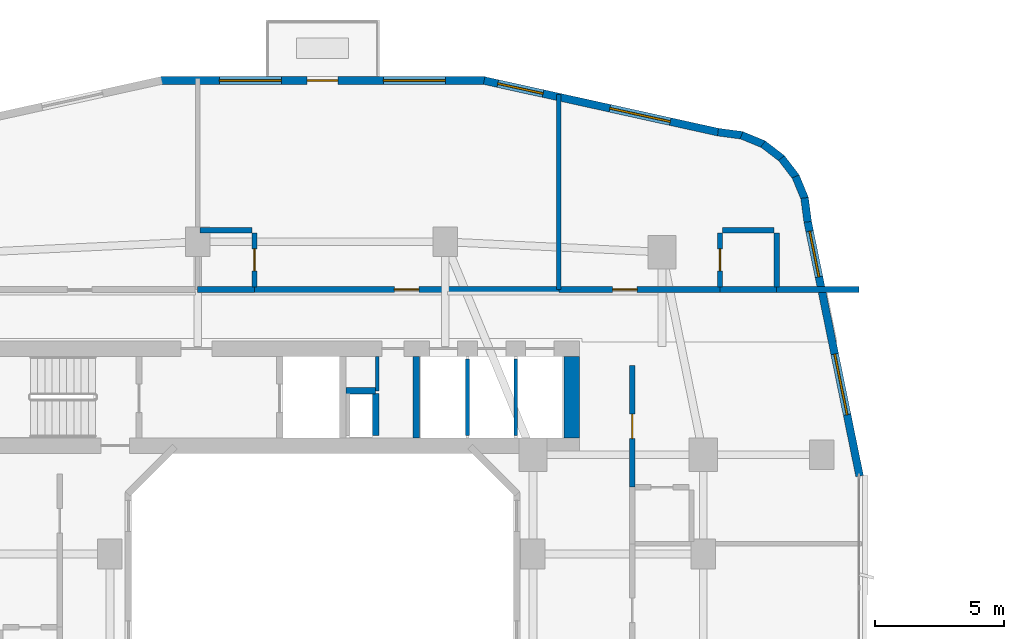
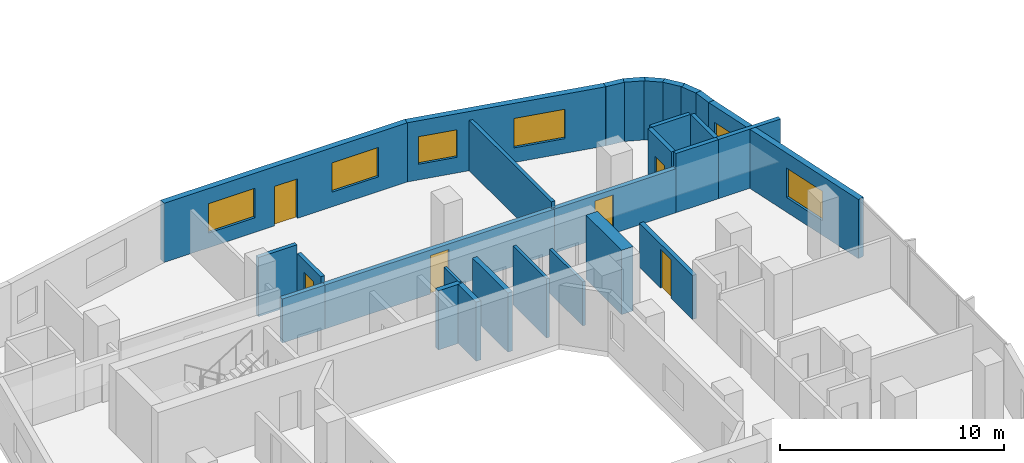
# One storey, part 12 of 22: 28 walls, 6 doors, 6 windows, 12 openings.
"""IFC4 building model written with IfcOpenShell, lengths in metres."""

from ifc_helpers import new_model, si_unit, derived_unit, direction, frame, frame_2d, origin, place, context, subcontext, project, spatial, rectangle, extrude, material, layer, layer_set, type_object, element, fill, save


model = new_model("IFC4")

# Units and contexts
model_context = context("Model", 3, precision=1e-05, world=origin(), true_north=direction((0.0, 1.0)))
body_context = subcontext(model_context, "Body", "Model", "MODEL_VIEW")
ifc_project = project(units=[si_unit("LENGTHUNIT", "METRE"), si_unit("AREAUNIT", "SQUARE_METRE"), si_unit("VOLUMEUNIT", "CUBIC_METRE"), si_unit("PLANEANGLEUNIT", "RADIAN"), si_unit("MASSUNIT", "GRAM", prefix="KILO"), derived_unit("THERMALTRANSMITTANCEUNIT", [(si_unit("POWERUNIT", "WATT"), 1), (si_unit("LENGTHUNIT", "METRE"), -2), (si_unit("THERMODYNAMICTEMPERATUREUNIT", "KELVIN"), -1)])], contexts=[model_context])

# Site, building, storey
site_placement = place(None, origin())
site = spatial("IfcSite", under=ifc_project, at=site_placement, CompositionType="ELEMENT")
building_placement = place(site_placement, origin())
building = spatial("IfcBuilding", under=site, at=building_placement, Name="Kivonza Crest Hotel", CompositionType="ELEMENT")
storey_placement = place(building_placement, frame((0.0, 0.0, 48.5)))
storey = spatial("IfcBuildingStorey", under=building, at=storey_placement, Name="L12", CompositionType="ELEMENT", Elevation=48.5)

# Walls
ifc_material_1 = material(Name="High-density acoustic masonry inter-tenancy wall", Category="masonry")
ifc_layer_1 = layer(ifc_material_1, 0.179931640625)
ifc_layer_set_1 = layer_set([ifc_layer_1], Name="High-density acoustic masonry inter-tenancy wall")
wall_type_1 = type_object("IfcWallType", Name="WL-ACOU-180", PredefinedType="SOLIDWALL", material=ifc_layer_set_1)
wall_1_placement = place(storey_placement, frame((30.199951171875, 38.75, 0.0), z_axis=(0.0, 0.0, 1.0), x_axis=(0.0, 1.0, 0.0)))
element("IfcWall", 1, at=wall_1_placement, inside=storey, type_object=wall_type_1, Name="L12 interior partition WA-L12-T1N-DIV3", PredefinedType="SOLIDWALL", context=body_context, shape_type="SweptSolid", body=[
    extrude(rectangle(XDim=7.554931640625, YDim=0.179931640625, at=frame_2d((3.77734375, 0.0))), origin(), (0.0, 0.0, 1.0), 2.7451171875),
])
ifc_material_2 = material(Name="Autoclaved aerated concrete blockwork", Category="masonry")
ifc_layer_2 = layer(ifc_material_2, 0.219970703125)
ifc_layer_set_2 = layer_set([ifc_layer_2], Name="Autoclaved aerated concrete blockwork")
wall_type_2 = type_object("IfcWallType", Name="WL-ACOU-220", PredefinedType="SOLIDWALL", material=ifc_layer_set_2)
wall_2_placement = place(storey_placement, frame((16.199951171875, 38.75, 0.0), z_axis=(0.0, 0.0, 1.0), x_axis=(1.0, 0.0, 0.0)))
element("IfcWall", 2, at=wall_2_placement, inside=storey, type_object=wall_type_2, Name="L12 interior partition WA-L12-N02-BCORR", PredefinedType="SOLIDWALL", context=body_context, shape_type="SweptSolid", body=[
    extrude(rectangle(XDim=2.199951171875, YDim=0.219970703125, at=frame_2d((1.10009765625, 0.0))), origin(), (0.0, 0.0, 1.0), 2.39501953125),
])

# Wall, opening, door
wall_3_placement = place(storey_placement, frame((18.39990234375, 38.75, 0.0), z_axis=(0.0, 0.0, 1.0), x_axis=(1.0, 0.0, 0.0)))
wall_3 = element("IfcWall", 3, at=wall_3_placement, inside=storey, type_object=wall_type_2, Name="L12 interior partition WA-L12-N02-MCORR", PredefinedType="SOLIDWALL", context=body_context, shape_type="SweptSolid", body=[
    extrude(rectangle(XDim=11.800048828125, YDim=0.219970703125, at=frame_2d((5.89990234375, 0.0))), origin(), (0.0, 0.0, 1.0), 2.39501953125),
])
opening_1_placement = place(wall_3_placement, frame((5.425048828125, 0.0, 0.0)))
opening_1 = element("IfcOpeningElement", 4, at=opening_1_placement, cuts=wall_3, Name="Opening DU-60", PredefinedType="OPENING", context=body_context, shape_type="SweptSolid", body=[
    extrude(rectangle(XDim=0.949951171875, YDim=2.10009765625, at=frame_2d((0.47509765625, 1.050048828125))), frame((0.0, 0.1201171875, 0.0), z_axis=(0.0, -1.0, 0.0), x_axis=(1.0, 0.0, 0.0)), (0.0, 0.0, 1.0), 0.239990234375),
])
ifc_material_3 = material(Name="Hardwood timber oak", Category="wood")
door_type_1 = type_object("IfcDoorType", Name="DR-UNIT-950", OperationType="NOTDEFINED", PredefinedType="DOOR", material=ifc_material_3)
door_1_placement = place(opening_1_placement, origin())
door_1 = element("IfcDoor", 5, at=door_1_placement, inside=storey, type_object=door_type_1, Name="L12 N02 guest unit entrance fire door", OperationType="SINGLE_SWING_RIGHT", OverallHeight=2.10009765625, OverallWidth=0.949951171875, PredefinedType="DOOR", context=body_context, shape_type="SweptSolid", body=[
    extrude(rectangle(XDim=0.949951171875, YDim=2.10009765625, at=frame_2d((0.47509765625, 1.050048828125))), frame((0.0, 0.02490234375, 0.0), z_axis=(0.0, -1.0, 0.0), x_axis=(1.0, 0.0, 0.0)), (0.0, 0.0, 1.0), 0.050048828125),
])
fill(opening_1, door_1)

# Walls
wall_4_placement = place(storey_placement, frame((38.64990234375, 38.75, 0.0), z_axis=(0.0, 0.0, 1.0), x_axis=(1.0, 0.0, 0.0)))
element("IfcWall", 6, at=wall_4_placement, inside=storey, type_object=wall_type_2, Name="L12 interior partition WA-L12-N03-XCORR", PredefinedType="SOLIDWALL", context=body_context, shape_type="SweptSolid", body=[
    extrude(rectangle(XDim=3.190185546875, YDim=0.219970703125, at=frame_2d((1.59521484375, 0.0))), origin(), (0.0, 0.0, 1.0), 3.219970703125),
])
wall_5_placement = place(storey_placement, frame((36.449951171875, 38.75, 0.0), z_axis=(0.0, 0.0, 1.0), x_axis=(1.0, 0.0, 0.0)))
element("IfcWall", 7, at=wall_5_placement, inside=storey, type_object=wall_type_2, Name="L12 interior partition WA-L12-N03-BCORR", PredefinedType="SOLIDWALL", context=body_context, shape_type="SweptSolid", body=[
    extrude(rectangle(XDim=2.199951171875, YDim=0.219970703125, at=frame_2d((1.10009765625, 0.0))), origin(), (0.0, 0.0, 1.0), 3.219970703125),
])

# Wall, opening, door
wall_6_placement = place(storey_placement, frame((30.199951171875, 38.75, 0.0), z_axis=(0.0, 0.0, 1.0), x_axis=(1.0, 0.0, 0.0)))
wall_6 = element("IfcWall", 8, at=wall_6_placement, inside=storey, type_object=wall_type_2, Name="L12 interior partition WA-L12-N03-MCORR", PredefinedType="SOLIDWALL", context=body_context, shape_type="SweptSolid", body=[
    extrude(rectangle(XDim=6.25, YDim=0.219970703125, at=frame_2d((3.125, 0.0))), origin(), (0.0, 0.0, 1.0), 2.39501953125),
])
opening_2_placement = place(wall_6_placement, frame((2.090087890625, 0.0, 0.0)))
opening_2 = element("IfcOpeningElement", 9, at=opening_2_placement, cuts=wall_6, Name="Opening DU-60", PredefinedType="OPENING", context=body_context, shape_type="SweptSolid", body=[
    extrude(rectangle(XDim=0.949951171875, YDim=2.10009765625, at=frame_2d((0.47509765625, 1.050048828125))), frame((0.0, 0.1201171875, 0.0), z_axis=(0.0, -1.0, 0.0), x_axis=(1.0, 0.0, 0.0)), (0.0, 0.0, 1.0), 0.239990234375),
])
door_2_placement = place(opening_2_placement, origin())
door_2 = element("IfcDoor", 10, at=door_2_placement, inside=storey, type_object=door_type_1, Name="L12 N03 guest unit entrance fire door", OperationType="SINGLE_SWING_LEFT", OverallHeight=2.10009765625, OverallWidth=0.949951171875, PredefinedType="DOOR", context=body_context, shape_type="SweptSolid", body=[
    extrude(rectangle(XDim=0.949951171875, YDim=2.10009765625, at=frame_2d((0.47509765625, 1.050048828125))), frame((0.0, 0.02490234375, 0.0), z_axis=(0.0, -1.0, 0.0), x_axis=(1.0, 0.0, 0.0)), (0.0, 0.0, 1.0), 0.050048828125),
])
fill(opening_2, door_2)

wall_7_placement = place(storey_placement, frame((33.050048828125, 31.087890625, 0.0), z_axis=(0.0, 0.0, 1.0), x_axis=(0.0, 1.0, 0.0)))
wall_7 = element("IfcWall", 11, at=wall_7_placement, inside=storey, type_object=wall_type_2, Name="L12 interior partition WA-L12-E11-MCORR", PredefinedType="SOLIDWALL", context=body_context, shape_type="SweptSolid", body=[
    extrude(rectangle(XDim=4.712158203125, YDim=0.219970703125, at=frame_2d((2.35595703125, 0.0))), origin(), (0.0, 0.0, 1.0), 2.39501953125),
])
opening_3_placement = place(wall_7_placement, frame((1.881103515625, 0.0, 0.0)))
opening_3 = element("IfcOpeningElement", 12, at=opening_3_placement, cuts=wall_7, Name="Opening DU-60", PredefinedType="OPENING", context=body_context, shape_type="SweptSolid", body=[
    extrude(rectangle(XDim=0.949951171875, YDim=2.10009765625, at=frame_2d((0.47509765625, 1.050048828125))), frame((0.0, 0.1201171875, 0.0), z_axis=(0.0, -1.0, 0.0), x_axis=(1.0, 0.0, 0.0)), (0.0, 0.0, 1.0), 0.239990234375),
])
door_3_placement = place(opening_3_placement, frame((0.949951171875, 0.0, 0.0), z_axis=(0.0, 0.0, 1.0), x_axis=(-1.0, 0.0, 0.0)))
door_3 = element("IfcDoor", 13, at=door_3_placement, inside=storey, type_object=door_type_1, Name="L12 E11 guest unit entrance fire door", OperationType="SINGLE_SWING_LEFT", OverallHeight=2.10009765625, OverallWidth=0.949951171875, PredefinedType="DOOR", context=body_context, shape_type="SweptSolid", body=[
    extrude(rectangle(XDim=0.949951171875, YDim=2.10009765625, at=frame_2d((0.47509765625, 1.050048828125))), frame((0.0, 0.02490234375, 0.0), z_axis=(0.0, -1.0, 0.0), x_axis=(1.0, 0.0, 0.0)), (0.0, 0.0, 1.0), 0.050048828125),
])
fill(opening_3, door_3)

# Wall
ifc_material_4 = material(Name="Concrete C60/75", Category="concrete")
ifc_layer_3 = layer(ifc_material_4, 0.60009765625)
ifc_layer_set_3 = layer_set([ifc_layer_3], Name="Concrete C60/75")
wall_type_3 = type_object("IfcWallType", Name="WL-CORE-600", PredefinedType="SHEAR", material=ifc_layer_set_3)
wall_8_placement = place(storey_placement, frame((30.699951171875, 33.0, 0.0), z_axis=(0.0, 0.0, 1.0), x_axis=(0.0, 1.0, 0.0)))
element("IfcWall", 14, at=wall_8_placement, inside=storey, type_object=wall_type_3, Name="Core wall T1-N East L12", PredefinedType="SHEAR", context=body_context, shape_type="SweptSolid", body=[
    extrude(rectangle(XDim=3.159912109375, YDim=0.60009765625, at=frame_2d((1.580078125, 0.0))), origin(), (0.0, 0.0, 1.0), 3.5),
])

# Wall, openings, windows
ifc_material_5 = material(Name="Precast concrete C40/50", Category="concrete")
ifc_layer_4 = layer(ifc_material_5, 0.300048828125)
ifc_layer_set_4 = layer_set([ifc_layer_4], Name="Precast concrete C40/50")
wall_type_4 = type_object("IfcWallType", Name="WL-EXT-300", PredefinedType="STANDARD", material=ifc_layer_set_4)
wall_9_placement = place(storey_placement, frame((41.864013671875, 31.51611328125, 0.0), z_axis=(0.0, 0.0, 1.0), x_axis=(-0.199990901713, 0.979797754249, 0.0)))
wall_9 = element("IfcWall", 15, at=wall_9_placement, inside=storey, type_object=wall_type_4, Name="L12 T1 exterior insulated wall 18", PredefinedType="STANDARD", context=body_context, shape_type="SweptSolid", body=[
    extrude(rectangle(XDim=10.065185546875, YDim=0.300048828125, at=frame_2d((5.03271484375, 0.0))), origin(), (0.0, 0.0, 1.0), 3.219970703125),
])
opening_4_placement = place(wall_9_placement, frame((2.428955078125, 0.0, 0.800048828125)))
opening_4 = element("IfcOpeningElement", 16, at=opening_4_placement, cuts=wall_9, Name="Opening WN-05", PredefinedType="OPENING", context=body_context, shape_type="SweptSolid", body=[
    extrude(rectangle(XDim=2.39990234375, YDim=1.60009765625, at=frame_2d((1.199951171875, 0.800048828125))), frame((0.0, 0.16015625, 0.0), z_axis=(0.0, -1.0, 0.0), x_axis=(1.0, 0.0, 0.0)), (0.0, 0.0, 1.0), 0.320068359375),
])
opening_5_placement = place(wall_9_placement, frame((7.886962890625, 0.0, 0.85009765625)))
opening_5 = element("IfcOpeningElement", 17, at=opening_5_placement, cuts=wall_9, Name="Opening WN-03", PredefinedType="OPENING", context=body_context, shape_type="SweptSolid", body=[
    extrude(rectangle(XDim=1.800048828125, YDim=1.5, at=frame_2d((0.89990234375, 0.75))), frame((0.0, 0.16015625, 0.0), z_axis=(0.0, -1.0, 0.0), x_axis=(1.0, 0.0, 0.0)), (0.0, 0.0, 1.0), 0.320068359375),
])
ifc_material_6 = material(Name="Thermally broken bronze aluminium and low-E double glazing", Category="aluminium")
window_type_1 = type_object("IfcWindowType", Name="WN-180x150", PartitioningType="DOUBLE_PANEL_VERTICAL", PredefinedType="WINDOW", material=ifc_material_6)
window_1_placement = place(opening_5_placement, origin())
window_1 = element("IfcWindow", 18, at=window_1_placement, inside=storey, type_object=window_type_1, Name="L12 T1 facade window 18 bay 2", OverallHeight=1.5, OverallWidth=1.800048828125, PartitioningType="SINGLE_PANEL", PredefinedType="WINDOW", context=body_context, shape_type="SweptSolid", body=[
    extrude(rectangle(XDim=1.800048828125, YDim=1.5, at=frame_2d((0.89990234375, 0.75))), frame((0.0, 0.030029296875, 0.0), z_axis=(0.0, -1.0, 0.0), x_axis=(1.0, 0.0, 0.0)), (0.0, 0.0, 1.0), 0.06005859375),
])
fill(opening_5, window_1)
window_type_2 = type_object("IfcWindowType", Name="WN-240x160", PartitioningType="TRIPLE_PANEL_VERTICAL", PredefinedType="WINDOW", material=ifc_material_6)
window_2_placement = place(opening_4_placement, origin())
window_2 = element("IfcWindow", 19, at=window_2_placement, inside=storey, type_object=window_type_2, Name="L12 T1 facade window 18 bay 1", OverallHeight=1.60009765625, OverallWidth=2.39990234375, PartitioningType="SINGLE_PANEL", PredefinedType="WINDOW", context=body_context, shape_type="SweptSolid", body=[
    extrude(rectangle(XDim=2.39990234375, YDim=1.60009765625, at=frame_2d((1.199951171875, 0.800048828125))), frame((0.0, 0.030029296875, 0.0), z_axis=(0.0, -1.0, 0.0), x_axis=(1.0, 0.0, 0.0)), (0.0, 0.0, 1.0), 0.06005859375),
])
fill(opening_4, window_2)

# Walls
wall_10_placement = place(storey_placement, frame((39.85205078125, 41.3720703125, 0.0), z_axis=(0.0, 0.0, 1.0), x_axis=(-0.131174864804, 0.991359246108, 0.0)))
element("IfcWall", 20, at=wall_10_placement, inside=storey, type_object=wall_type_4, Name="L12 T1 exterior insulated wall 19", PredefinedType="STANDARD", context=body_context, shape_type="SweptSolid", body=[
    extrude(rectangle(XDim=0.93798828125, YDim=0.300048828125, at=frame_2d((0.468994140625, 0.0))), origin(), (0.0, 0.0, 1.0), 3.219970703125),
])
wall_11_placement = place(storey_placement, frame((39.748046875, 42.251953125, 0.0), z_axis=(0.0, 0.0, 1.0), x_axis=(-0.382344263057, 0.924019948111, 0.0)))
element("IfcWall", 21, at=wall_11_placement, inside=storey, type_object=wall_type_4, Name="L12 T1 exterior insulated wall 20", PredefinedType="STANDARD", context=body_context, shape_type="SweptSolid", body=[
    extrude(rectangle(XDim=0.95458984375, YDim=0.300048828125, at=frame_2d((0.477294921875, 0.0))), origin(), (0.0, 0.0, 1.0), 3.219970703125),
])
wall_12_placement = place(storey_placement, frame((39.4140625, 43.089111328125, 0.0), z_axis=(0.0, 0.0, 1.0), x_axis=(-0.608474481025, 0.793573440799, 0.0)))
element("IfcWall", 22, at=wall_12_placement, inside=storey, type_object=wall_type_4, Name="L12 T1 exterior insulated wall 21", PredefinedType="STANDARD", context=body_context, shape_type="SweptSolid", body=[
    extrude(rectangle(XDim=0.954833984375, YDim=0.300048828125, at=frame_2d((0.4775390625, 0.0))), origin(), (0.0, 0.0, 1.0), 3.219970703125),
])
wall_13_placement = place(storey_placement, frame((38.875, 43.81201171875, 0.0), z_axis=(0.0, 0.0, 1.0), x_axis=(-0.793668068435, 0.608351047625, 0.0)))
element("IfcWall", 23, at=wall_13_placement, inside=storey, type_object=wall_type_4, Name="L12 T1 exterior insulated wall 22", PredefinedType="STANDARD", context=body_context, shape_type="SweptSolid", body=[
    extrude(rectangle(XDim=0.955078125, YDim=0.300048828125, at=frame_2d((0.4775390625, 0.0))), origin(), (0.0, 0.0, 1.0), 3.219970703125),
])
wall_14_placement = place(storey_placement, frame((38.166015625, 44.368896484375, 0.0), z_axis=(0.0, 0.0, 1.0), x_axis=(-0.924019948111, 0.382344263057, 0.0)))
element("IfcWall", 24, at=wall_14_placement, inside=storey, type_object=wall_type_4, Name="L12 T1 exterior insulated wall 23", PredefinedType="STANDARD", context=body_context, shape_type="SweptSolid", body=[
    extrude(rectangle(XDim=0.95458984375, YDim=0.300048828125, at=frame_2d((0.477294921875, 0.0))), origin(), (0.0, 0.0, 1.0), 3.219970703125),
])
wall_15_placement = place(storey_placement, frame((37.3369140625, 44.72509765625, 0.0), z_axis=(0.0, 0.0, 1.0), x_axis=(-0.991454295543, 0.130454512571, 0.0)))
element("IfcWall", 25, at=wall_15_placement, inside=storey, type_object=wall_type_4, Name="L12 T1 exterior insulated wall 24", PredefinedType="STANDARD", context=body_context, shape_type="SweptSolid", body=[
    extrude(rectangle(XDim=0.97314453125, YDim=0.300048828125, at=frame_2d((0.486572265625, 0.0))), origin(), (0.0, 0.0, 1.0), 3.219970703125),
])

# Wall, openings, windows
wall_16_placement = place(storey_placement, frame((36.3759765625, 44.85205078125, 0.0), z_axis=(0.0, 0.0, 1.0), x_axis=(-0.976540764801, 0.215332614068, 0.0)))
wall_16 = element("IfcWall", 26, at=wall_16_placement, inside=storey, type_object=wall_type_4, Name="L12 T1 exterior insulated wall 25", PredefinedType="STANDARD", context=body_context, shape_type="SweptSolid", body=[
    extrude(rectangle(XDim=9.287841796875, YDim=0.300048828125, at=frame_2d((4.64404296875, 0.0))), origin(), (0.0, 0.0, 1.0), 3.219970703125),
])
opening_6_placement = place(wall_16_placement, frame((1.89697265625, 0.0, 0.800048828125)))
opening_6 = element("IfcOpeningElement", 27, at=opening_6_placement, cuts=wall_16, Name="Opening WN-05", PredefinedType="OPENING", context=body_context, shape_type="SweptSolid", body=[
    extrude(rectangle(XDim=2.39990234375, YDim=1.60009765625, at=frame_2d((1.199951171875, 0.800048828125))), frame((0.0, 0.16015625, 0.0), z_axis=(0.0, -1.0, 0.0), x_axis=(1.0, 0.0, 0.0)), (0.0, 0.0, 1.0), 0.320068359375),
])
opening_7_placement = place(wall_16_placement, frame((6.946044921875, 0.0, 0.85009765625)))
opening_7 = element("IfcOpeningElement", 28, at=opening_7_placement, cuts=wall_16, Name="Opening WN-03", PredefinedType="OPENING", context=body_context, shape_type="SweptSolid", body=[
    extrude(rectangle(XDim=1.800048828125, YDim=1.5, at=frame_2d((0.89990234375, 0.75))), frame((0.0, 0.16015625, 0.0), z_axis=(0.0, -1.0, 0.0), x_axis=(1.0, 0.0, 0.0)), (0.0, 0.0, 1.0), 0.320068359375),
])
window_3_placement = place(opening_7_placement, origin())
window_3 = element("IfcWindow", 29, at=window_3_placement, inside=storey, type_object=window_type_1, Name="L12 T1 facade window 25 bay 2", OverallHeight=1.5, OverallWidth=1.800048828125, PartitioningType="SINGLE_PANEL", PredefinedType="WINDOW", context=body_context, shape_type="SweptSolid", body=[
    extrude(rectangle(XDim=1.800048828125, YDim=1.5, at=frame_2d((0.89990234375, 0.75))), frame((0.0, 0.030029296875, 0.0), z_axis=(0.0, -1.0, 0.0), x_axis=(1.0, 0.0, 0.0)), (0.0, 0.0, 1.0), 0.06005859375),
])
fill(opening_7, window_3)
window_4_placement = place(opening_6_placement, origin())
window_4 = element("IfcWindow", 30, at=window_4_placement, inside=storey, type_object=window_type_2, Name="L12 T1 facade window 25 bay 1", OverallHeight=1.60009765625, OverallWidth=2.39990234375, PartitioningType="SINGLE_PANEL", PredefinedType="WINDOW", context=body_context, shape_type="SweptSolid", body=[
    extrude(rectangle(XDim=2.39990234375, YDim=1.60009765625, at=frame_2d((1.199951171875, 0.800048828125))), frame((0.0, 0.030029296875, 0.0), z_axis=(0.0, -1.0, 0.0), x_axis=(1.0, 0.0, 0.0)), (0.0, 0.0, 1.0), 0.06005859375),
])
fill(opening_6, window_4)

# Wall, openings, door, windows
wall_17_placement = place(storey_placement, frame((27.35302734375, 46.85009765625, 0.0), z_axis=(0.0, 0.0, 1.0), x_axis=(-1.0, 0.0, 0.0)))
wall_17 = element("IfcWall", 31, at=wall_17_placement, inside=storey, type_object=wall_type_4, Name="L12 T1 exterior insulated wall 26", PredefinedType="STANDARD", context=body_context, shape_type="SweptSolid", body=[
    extrude(rectangle(XDim=12.591064453125, YDim=0.300048828125, at=frame_2d((6.29541015625, 0.0))), origin(), (0.0, 0.0, 1.0), 3.219970703125),
])
opening_8_placement = place(wall_17_placement, frame((5.712890625, 0.0, 0.0)))
opening_8 = element("IfcOpeningElement", 32, at=opening_8_placement, cuts=wall_17, Name="Opening DT-120", PredefinedType="OPENING", context=body_context, shape_type="SweptSolid", body=[
    extrude(rectangle(XDim=1.199951171875, YDim=2.14990234375, at=frame_2d((0.60009765625, 1.074951171875))), frame((0.0, 0.16015625, 0.0), z_axis=(0.0, -1.0, 0.0), x_axis=(1.0, 0.0, 0.0)), (0.0, 0.0, 1.0), 0.320068359375),
])
opening_9_placement = place(wall_17_placement, frame((1.552001953125, 0.0, 0.800048828125)))
opening_9 = element("IfcOpeningElement", 33, at=opening_9_placement, cuts=wall_17, Name="Opening WN-05", PredefinedType="OPENING", context=body_context, shape_type="SweptSolid", body=[
    extrude(rectangle(XDim=2.39990234375, YDim=1.60009765625, at=frame_2d((1.199951171875, 0.800048828125))), frame((0.0, 0.16015625, 0.0), z_axis=(0.0, -1.0, 0.0), x_axis=(1.0, 0.0, 0.0)), (0.0, 0.0, 1.0), 0.320068359375),
])
opening_10_placement = place(wall_17_placement, frame((7.907958984375, 0.0, 0.800048828125)))
opening_10 = element("IfcOpeningElement", 34, at=opening_10_placement, cuts=wall_17, Name="Opening WN-05", PredefinedType="OPENING", context=body_context, shape_type="SweptSolid", body=[
    extrude(rectangle(XDim=2.39990234375, YDim=1.60009765625, at=frame_2d((1.199951171875, 0.800048828125))), frame((0.0, 0.16015625, 0.0), z_axis=(0.0, -1.0, 0.0), x_axis=(1.0, 0.0, 0.0)), (0.0, 0.0, 1.0), 0.320068359375),
])
ifc_material_7 = material(Name="Anodised bronze aluminium and laminated safety glass", Category="aluminium")
door_type_2 = type_object("IfcDoorType", Name="DR-TERR-1200", OperationType="NOTDEFINED", PredefinedType="DOOR", material=ifc_material_7)
door_4_placement = place(opening_8_placement, frame((1.199951171875, 0.0, 0.0), z_axis=(0.0, 0.0, 1.0), x_axis=(-1.0, 0.0, 0.0)))
door_4 = element("IfcDoor", 35, at=door_4_placement, inside=storey, type_object=door_type_2, Name="T1 L12 NE sky-garden bridge access door", OperationType="SINGLE_SWING_LEFT", OverallHeight=2.14990234375, OverallWidth=1.199951171875, PredefinedType="DOOR", context=body_context, shape_type="SweptSolid", body=[
    extrude(rectangle(XDim=1.199951171875, YDim=2.14990234375, at=frame_2d((0.60009765625, 1.074951171875))), frame((0.0, 0.02490234375, 0.0), z_axis=(0.0, -1.0, 0.0), x_axis=(1.0, 0.0, 0.0)), (0.0, 0.0, 1.0), 0.050048828125),
])
fill(opening_8, door_4)
window_5_placement = place(opening_9_placement, origin())
window_5 = element("IfcWindow", 36, at=window_5_placement, inside=storey, type_object=window_type_2, Name="L12 T1 facade window 26 bay 1", OverallHeight=1.60009765625, OverallWidth=2.39990234375, PartitioningType="SINGLE_PANEL", PredefinedType="WINDOW", context=body_context, shape_type="SweptSolid", body=[
    extrude(rectangle(XDim=2.39990234375, YDim=1.60009765625, at=frame_2d((1.199951171875, 0.800048828125))), frame((0.0, 0.030029296875, 0.0), z_axis=(0.0, -1.0, 0.0), x_axis=(1.0, 0.0, 0.0)), (0.0, 0.0, 1.0), 0.06005859375),
])
fill(opening_9, window_5)
window_6_placement = place(opening_10_placement, origin())
window_6 = element("IfcWindow", 37, at=window_6_placement, inside=storey, type_object=window_type_2, Name="L12 T1 facade window 26 bay 2", OverallHeight=1.60009765625, OverallWidth=2.39990234375, PartitioningType="SINGLE_PANEL", PredefinedType="WINDOW", context=body_context, shape_type="SweptSolid", body=[
    extrude(rectangle(XDim=2.39990234375, YDim=1.60009765625, at=frame_2d((1.199951171875, 0.800048828125))), frame((0.0, 0.030029296875, 0.0), z_axis=(0.0, -1.0, 0.0), x_axis=(1.0, 0.0, 0.0)), (0.0, 0.0, 1.0), 0.06005859375),
])
fill(opening_10, window_6)

# Walls
ifc_material_8 = material(Name="Concrete blockwork fire-compartment wall", Category="masonry")
ifc_layer_5 = layer(ifc_material_8, 0.25)
ifc_layer_set_5 = layer_set([ifc_layer_5], Name="Concrete blockwork fire-compartment wall")
wall_type_5 = type_object("IfcWallType", Name="WL-FIRE-250", PredefinedType="SOLIDWALL", material=ifc_layer_set_5)
wall_18_placement = place(storey_placement, frame((23.10009765625, 33.10009765625, 0.0), z_axis=(0.0, 0.0, 1.0), x_axis=(0.0, 1.0, 0.0)))
element("IfcWall", 38, at=wall_18_placement, inside=storey, type_object=wall_type_5, Name="L12 interior partition WA-L12-T1-N-MEPR-E", PredefinedType="SOLIDWALL", context=body_context, shape_type="SweptSolid", body=[
    extrude(rectangle(XDim=1.619873046875, YDim=0.25, at=frame_2d((0.81005859375, 0.0))), origin(), (0.0, 0.0, 1.0), 3.219970703125),
])
wall_19_placement = place(storey_placement, frame((21.949951171875, 34.820068359375, 0.0), z_axis=(0.0, 0.0, 1.0), x_axis=(1.0, 0.0, 0.0)))
element("IfcWall", 39, at=wall_19_placement, inside=storey, type_object=wall_type_5, Name="L12 interior partition WA-L12-T1-N-MEPR-H", PredefinedType="SOLIDWALL", context=body_context, shape_type="SweptSolid", body=[
    extrude(rectangle(XDim=1.150146484375, YDim=0.25, at=frame_2d((0.5751953125, 0.0))), origin(), (0.0, 0.0, 1.0), 3.219970703125),
])
ifc_material_9 = material(Name="Metal-stud gypsum board partition", Category="gypsum")
ifc_layer_6 = layer(ifc_material_9, 0.125)
ifc_layer_set_6 = layer_set([ifc_layer_6], Name="Metal-stud gypsum board partition")
wall_type_6 = type_object("IfcWallType", Name="WL-PART-125", PredefinedType="PARTITIONING", material=ifc_layer_set_6)
wall_20_placement = place(storey_placement, frame((23.159912109375, 34.820068359375, 0.0), z_axis=(0.0, 0.0, 1.0), x_axis=(0.0, 1.0, 0.0)))
element("IfcWall", 40, at=wall_20_placement, inside=storey, type_object=wall_type_6, Name="L12 interior partition WP-L12-T1-N-SV1V", PredefinedType="PARTITIONING", context=body_context, shape_type="SweptSolid", body=[
    extrude(rectangle(XDim=1.33984375, YDim=0.125, at=frame_2d((0.669921875, 0.0))), origin(), (0.0, 0.0, 1.0), 3.219970703125),
])
ifc_material_10 = material(Name="Twin-stud acoustic gypsum board partition", Category="gypsum")
ifc_layer_7 = layer(ifc_material_10, 0.14990234375)
ifc_layer_set_7 = layer_set([ifc_layer_7], Name="Twin-stud acoustic gypsum board partition")
wall_type_7 = type_object("IfcWallType", Name="WL-PART-150", PredefinedType="PARTITIONING", material=ifc_layer_set_7)
wall_21_placement = place(storey_placement, frame((26.6669921875, 33.10009765625, 0.0), z_axis=(0.0, 0.0, 1.0), x_axis=(0.0, 1.0, 0.0)))
element("IfcWall", 41, at=wall_21_placement, inside=storey, type_object=wall_type_7, Name="L12 interior partition WP-L12-T1-N-BSH-1", PredefinedType="PARTITIONING", context=body_context, shape_type="SweptSolid", body=[
    extrude(rectangle(XDim=2.9599609375, YDim=0.14990234375, at=frame_2d((1.47998046875, 0.0))), origin(), (0.0, 0.0, 1.0), 3.219970703125),
])
wall_22_placement = place(storey_placement, frame((28.532958984375, 33.10009765625, 0.0), z_axis=(0.0, 0.0, 1.0), x_axis=(0.0, 1.0, 0.0)))
element("IfcWall", 42, at=wall_22_placement, inside=storey, type_object=wall_type_7, Name="L12 interior partition WP-L12-T1-N-BSH-2", PredefinedType="PARTITIONING", context=body_context, shape_type="SweptSolid", body=[
    extrude(rectangle(XDim=2.9599609375, YDim=0.14990234375, at=frame_2d((1.47998046875, 0.0))), origin(), (0.0, 0.0, 1.0), 2.39501953125),
])

# Wall, opening, door
ifc_material_11 = material(Name="Moisture-resistant plumbing chase partition wall", Category="gypsum")
ifc_layer_8 = layer(ifc_material_11, 0.199951171875)
ifc_layer_set_8 = layer_set([ifc_layer_8], Name="Moisture-resistant plumbing chase partition wall")
wall_type_8 = type_object("IfcWallType", Name="WL-PLUMB-200", PredefinedType="PLUMBINGWALL", material=ifc_layer_set_8)
wall_23_placement = place(storey_placement, frame((18.39990234375, 38.85009765625, 0.0), z_axis=(0.0, 0.0, 1.0), x_axis=(0.0, 1.0, 0.0)))
wall_23 = element("IfcWall", 43, at=wall_23_placement, inside=storey, type_object=wall_type_8, Name="L12 interior partition WW-L12-N02-BV", PredefinedType="PLUMBINGWALL", context=body_context, shape_type="SweptSolid", body=[
    extrude(rectangle(XDim=2.099853515625, YDim=0.199951171875, at=frame_2d((1.0498046875, 0.0))), origin(), (0.0, 0.0, 1.0), 2.7451171875),
])
opening_11_placement = place(wall_23_placement, frame((0.625, 0.0, 0.0)))
opening_11 = element("IfcOpeningElement", 44, at=opening_11_placement, cuts=wall_23, Name="Opening DI-85", PredefinedType="OPENING", context=body_context, shape_type="SweptSolid", body=[
    extrude(rectangle(XDim=0.85009765625, YDim=2.10009765625, at=frame_2d((0.425048828125, 1.050048828125))), frame((0.0, 0.10986328125, 0.0), z_axis=(0.0, -1.0, 0.0), x_axis=(1.0, 0.0, 0.0)), (0.0, 0.0, 1.0), 0.219970703125),
])
door_type_3 = type_object("IfcDoorType", Name="DR-INT-850", OperationType="NOTDEFINED", PredefinedType="DOOR", material=ifc_material_3)
door_5_placement = place(opening_11_placement, frame((0.85009765625, 0.0, 0.0), z_axis=(0.0, 0.0, 1.0), x_axis=(-1.0, 0.0, 0.0)))
door_5 = element("IfcDoor", 45, at=door_5_placement, inside=storey, type_object=door_type_3, Name="L12 N02 en-suite bathroom door", OperationType="SINGLE_SWING_LEFT", OverallHeight=2.10009765625, OverallWidth=0.85009765625, PredefinedType="DOOR", context=body_context, shape_type="SweptSolid", body=[
    extrude(rectangle(XDim=0.85009765625, YDim=2.10009765625, at=frame_2d((0.425048828125, 1.050048828125))), frame((0.0, 0.02490234375, 0.0), z_axis=(0.0, -1.0, 0.0), x_axis=(1.0, 0.0, 0.0)), (0.0, 0.0, 1.0), 0.050048828125),
])
fill(opening_11, door_5)

# Wall
wall_24_placement = place(storey_placement, frame((16.300048828125, 41.050048828125, 0.0), z_axis=(0.0, 0.0, 1.0), x_axis=(1.0, 0.0, 0.0)))
element("IfcWall", 46, at=wall_24_placement, inside=storey, type_object=wall_type_8, Name="L12 interior partition WW-L12-N02-BH", PredefinedType="PLUMBINGWALL", context=body_context, shape_type="SweptSolid", body=[
    extrude(rectangle(XDim=2.0, YDim=0.199951171875, at=frame_2d((1.0, 0.0))), origin(), (0.0, 0.0, 1.0), 3.219970703125),
])

# Wall, opening, door
wall_25_placement = place(storey_placement, frame((36.449951171875, 38.85009765625, 0.0), z_axis=(0.0, 0.0, 1.0), x_axis=(0.0, 1.0, 0.0)))
wall_25 = element("IfcWall", 47, at=wall_25_placement, inside=storey, type_object=wall_type_8, Name="L12 interior partition WW-L12-N03-BV", PredefinedType="PLUMBINGWALL", context=body_context, shape_type="SweptSolid", body=[
    extrude(rectangle(XDim=2.099853515625, YDim=0.199951171875, at=frame_2d((1.0498046875, 0.0))), origin(), (0.0, 0.0, 1.0), 3.219970703125),
])
opening_12_placement = place(wall_25_placement, frame((0.625, 0.0, 0.0)))
opening_12 = element("IfcOpeningElement", 48, at=opening_12_placement, cuts=wall_25, Name="Opening DI-85", PredefinedType="OPENING", context=body_context, shape_type="SweptSolid", body=[
    extrude(rectangle(XDim=0.85009765625, YDim=2.10009765625, at=frame_2d((0.425048828125, 1.050048828125))), frame((0.0, 0.10986328125, 0.0), z_axis=(0.0, -1.0, 0.0), x_axis=(1.0, 0.0, 0.0)), (0.0, 0.0, 1.0), 0.219970703125),
])
door_6_placement = place(opening_12_placement, origin())
door_6 = element("IfcDoor", 49, at=door_6_placement, inside=storey, type_object=door_type_3, Name="L12 N03 en-suite bathroom door", OperationType="SINGLE_SWING_RIGHT", OverallHeight=2.10009765625, OverallWidth=0.85009765625, PredefinedType="DOOR", context=body_context, shape_type="SweptSolid", body=[
    extrude(rectangle(XDim=0.85009765625, YDim=2.10009765625, at=frame_2d((0.425048828125, 1.050048828125))), frame((0.0, 0.02490234375, 0.0), z_axis=(0.0, -1.0, 0.0), x_axis=(1.0, 0.0, 0.0)), (0.0, 0.0, 1.0), 0.050048828125),
])
fill(opening_12, door_6)

# Walls
wall_26_placement = place(storey_placement, frame((36.550048828125, 41.050048828125, 0.0), z_axis=(0.0, 0.0, 1.0), x_axis=(1.0, 0.0, 0.0)))
element("IfcWall", 50, at=wall_26_placement, inside=storey, type_object=wall_type_8, Name="L12 interior partition WW-L12-N03-BH", PredefinedType="PLUMBINGWALL", context=body_context, shape_type="SweptSolid", body=[
    extrude(rectangle(XDim=2.0, YDim=0.199951171875, at=frame_2d((1.0, 0.0))), origin(), (0.0, 0.0, 1.0), 3.219970703125),
])
wall_27_placement = place(storey_placement, frame((38.64990234375, 38.85009765625, 0.0), z_axis=(0.0, 0.0, 1.0), x_axis=(0.0, 1.0, 0.0)))
element("IfcWall", 51, at=wall_27_placement, inside=storey, type_object=wall_type_8, Name="L12 interior partition WW-L12-N03-BVE", PredefinedType="PLUMBINGWALL", context=body_context, shape_type="SweptSolid", body=[
    extrude(rectangle(XDim=2.099853515625, YDim=0.199951171875, at=frame_2d((1.0498046875, 0.0))), origin(), (0.0, 0.0, 1.0), 3.219970703125),
])
ifc_material_12 = material(Name="Concrete C50/60", Category="concrete")
ifc_layer_9 = layer(ifc_material_12, 0.25)
ifc_layer_set_9 = layer_set([ifc_layer_9], Name="Concrete C50/60")
wall_type_9 = type_object("IfcWallType", Name="WL-SHAFT-250", PredefinedType="STANDARD", material=ifc_layer_set_9)
wall_28_placement = place(storey_placement, frame((24.675048828125, 33.0, 0.0), z_axis=(0.0, 0.0, 1.0), x_axis=(0.0, 1.0, 0.0)))
element("IfcWall", 52, at=wall_28_placement, inside=storey, type_object=wall_type_9, Name="Core shaft wall T1-N BANK-W L12", PredefinedType="STANDARD", context=body_context, shape_type="SweptSolid", body=[
    extrude(rectangle(XDim=3.159912109375, YDim=0.25, at=frame_2d((1.580078125, 0.0))), origin(), (0.0, 0.0, 1.0), 3.219970703125),
])

save(model, "model.ifc")
